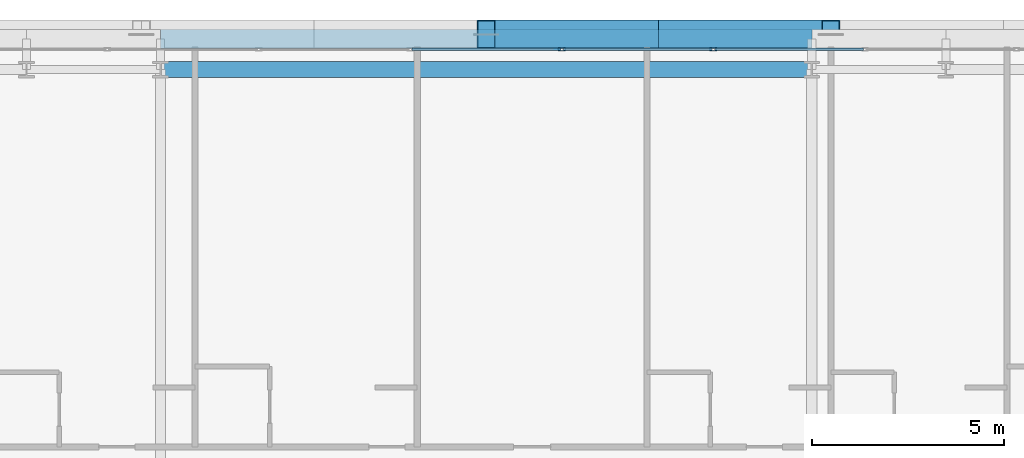
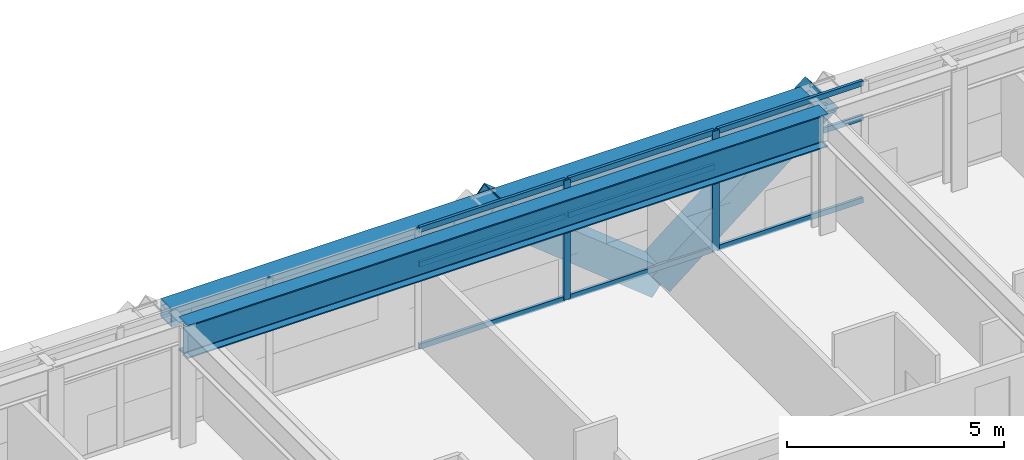
# One storey, part 19 of 35: 13 members, 2 beams, 1 element without a shape of its own.
"""IFC4 building model written with IfcOpenShell, lengths in metres."""

from ifc_helpers import new_model, si_unit, direction, frame, origin, origin_2d, place, context, subcontext, project, spatial, hollow_rectangle, i_section, extrude, source, transform, mapped, material, layer, layer_set, material_profile, profile_set, type_object, element, aggregate, save


model = new_model("IFC4")

# Units and contexts
model_context = context("Model", 3, precision=1e-05, world=origin(), true_north=direction((0.0, 1.0)))
body_context = subcontext(model_context, "Body", "Model", "MODEL_VIEW")
ifc_project = project(units=[si_unit("LENGTHUNIT", "METRE"), si_unit("AREAUNIT", "SQUARE_METRE"), si_unit("VOLUMEUNIT", "CUBIC_METRE"), si_unit("PLANEANGLEUNIT", "RADIAN"), si_unit("MASSUNIT", "GRAM", prefix="KILO")], contexts=[model_context])

# Site, building, storey
site_placement = place(None, origin())
site = spatial("IfcSite", under=ifc_project, at=site_placement, CompositionType="ELEMENT")
building_placement = place(site_placement, origin())
building = spatial("IfcBuilding", under=site, at=building_placement, Name="Ocotamira Hotel", CompositionType="ELEMENT")
storey_placement = place(building_placement, frame((0.0, 0.0, 100.800048828125)))
storey = spatial("IfcBuildingStorey", under=building, at=storey_placement, Name="L24", CompositionType="ELEMENT", Elevation=100.800048828125)

# Beams
ifc_material_1 = material(Name="Steel ASTM A992 Grade 50", Category="steel")
ifc_material_profile_1 = material_profile(ifc_material_1, i_section(OverallWidth=0.41796875, OverallDepth=0.927001953125, WebThickness=0.019287109375, FlangeThickness=0.031982421875, FilletRadius=0.02392578125, at=origin_2d()), Name="W36X231")
ifc_profile_set_1 = profile_set([ifc_material_profile_1], Name="Steel ASTM A992 Grade 50")
beam_type_1 = type_object("IfcBeamType", Name="BM-GIRD-W36X231", PredefinedType="BEAM", material=ifc_profile_set_1)
shared_shape_1 = source(origin(), body_context, "Body", "SweptSolid", [
    extrude(i_section(OverallWidth=0.41796875, OverallDepth=0.927001953125, WebThickness=0.019287109375, FlangeThickness=0.031982421875, FilletRadius=0.02392578125, at=origin_2d()), origin(), (0.0, 0.0, 1.0), 17.0),
])
beam_1_placement = place(storey_placement, frame((23.5, 49.050048828125, 2.896484375), z_axis=(1.0, 0.0, 0.0), x_axis=(0.0, 1.0, 0.0)))
element("IfcBeam", 1, at=beam_1_placement, inside=storey, type_object=beam_type_1, Name="L24 Girder Y49.05 X23.5-40.5", PredefinedType="BEAM", context=body_context, shape_type="MappedRepresentation", body=[
    mapped(shared_shape_1, transform((0.0, 0.0, 0.0), scale=1.0)),
])
ifc_material_2 = material(Name="Steel ASTM A500 Grade C", Category="steel")
ifc_material_profile_2 = material_profile(ifc_material_2, hollow_rectangle(XDim=0.5, YDim=0.5, WallThickness=0.02001953125, at=origin_2d()), Name="HSS500X500X20")
ifc_profile_set_2 = profile_set([ifc_material_profile_2], Name="Steel ASTM A500 Grade C")
beam_type_2 = type_object("IfcBeamType", Name="BM-SPAN-HSS500", PredefinedType="USERDEFINED", material=ifc_profile_set_2)
shared_shape_2 = source(origin(), body_context, "Body", "SweptSolid", [
    extrude(hollow_rectangle(XDim=0.5, YDim=0.5, WallThickness=0.02001953125, at=origin_2d()), origin(), (0.0, 0.0, 1.0), 17.0),
])
beam_2_placement = place(storey_placement, frame((23.5, 49.85009765625, 3.10986328125), z_axis=(1.0, 0.0, 0.0), x_axis=(0.0, 1.0, 0.0)))
element("IfcBeam", 2, at=beam_2_placement, inside=storey, type_object=beam_type_2, Name="L24 Edge Spandrel N X23.5-40.5", ObjectType="SPANDREL", PredefinedType="USERDEFINED", context=body_context, shape_type="MappedRepresentation", body=[
    mapped(shared_shape_2, transform((0.0, 0.0, 0.0), scale=1.0)),
])

# Members
ifc_material_3 = material(Name="Pale-metal coated steel ASTM A913 Grade 65", Category="steel")
ifc_material_profile_3 = material_profile(ifc_material_3, hollow_rectangle(XDim=0.75, YDim=0.75, WallThickness=0.028076171875, at=origin_2d()), Name="BOX750X750X28")
ifc_profile_set_3 = profile_set([ifc_material_profile_3], Name="Pale-metal coated steel ASTM A913 Grade 65")
member_type_1 = type_object("IfcMemberType", Name="MEM-EXO-BOX750", PredefinedType="BRACE", material=ifc_profile_set_3)
shared_shape_3 = source(origin(), body_context, "Body", "SweptSolid", [
    extrude(hollow_rectangle(XDim=0.75, YDim=0.75, WallThickness=0.028076171875, at=origin_2d()), origin(), (0.0, 0.0, 1.0), 5.7626953125),
])
for number, where, z_axis, x_axis, name in (
    (3, (36.5, 49.969970703125, -0.489990234375), (-0.780881208953, 0.0, 0.624679547852), (0.0, -1.0, 0.0), "L24 Exoskeleton Diagrid N2.1"),
    (4, (36.5, 49.969970703125, -0.489990234375), (0.780881208953, 0.0, 0.624679547852), (0.0, 1.0, 0.0), "L24 Exoskeleton Diagrid N2.2"),
):
    element("IfcMember", number, at=place(storey_placement, frame(where, z_axis=z_axis, x_axis=x_axis)), inside=storey, type_object=member_type_1, Name=name, PredefinedType="BRACE", context=body_context, shape_type="MappedRepresentation", body=[
        mapped(shared_shape_3, transform((0.0, 0.0, 0.0), scale=1.0)),
    ])

# Curtain wall, members
ifc_material_4 = material(Name="Anodised pale-metal aluminium and solar glass", Category="aluminium")
ifc_layer = layer(ifc_material_4, 0.179931640625)
ifc_layer_set = layer_set([ifc_layer], Name="Anodised pale-metal aluminium and solar glass")
curtain_wall_type = type_object("IfcCurtainWallType", Name="CW-SYS3-Z2", PredefinedType="NOTDEFINED", material=ifc_layer_set)
curtain_wall_placement = place(storey_placement, origin())
curtain_wall = element("IfcCurtainWall", 5, at=curtain_wall_placement, inside=storey, type_object=curtain_wall_type, Name="L24 Curtain Wall CW-3 CW-L24-N", PredefinedType="NOTDEFINED")
ifc_material_5 = material(Name="Anodised pale-metal aluminium 6063-T6", Category="aluminium")
ifc_material_profile_4 = material_profile(ifc_material_5, hollow_rectangle(XDim=0.074951171875, YDim=0.14990234375, WallThickness=0.006103515625, at=origin_2d()), Name="HSS150X75X6")
ifc_profile_set_4 = profile_set([ifc_material_profile_4], Name="Anodised pale-metal aluminium 6063-T6")
member_type_2 = type_object("IfcMemberType", Name="CWT-150X75", PredefinedType="USERDEFINED", material=ifc_profile_set_4)
shared_shape_4 = source(origin(), body_context, "Body", "SweptSolid", [
    extrude(hollow_rectangle(XDim=0.074951171875, YDim=0.14990234375, WallThickness=0.006103515625, at=origin_2d()), origin(), (0.0, 0.0, 1.0), 3.87548828125),
])
member_1_placement = place(storey_placement, frame((30.062255859375, 49.580078125, 0.037353515625), z_axis=(1.0, 0.0, 0.0), x_axis=(0.0, 1.0, 0.0)))
member_1 = element("IfcMember", 6, at=member_1_placement, type_object=member_type_2, Name="CW-3 transom 5.1", ObjectType="TRANSOM", PredefinedType="USERDEFINED", context=body_context, shape_type="MappedRepresentation", body=[
    mapped(shared_shape_4, transform((0.0, 0.0, 0.0), scale=1.0)),
])
member_2_placement = place(storey_placement, frame((30.062255859375, 49.580078125, 2.349853515625), z_axis=(1.0, 0.0, 0.0), x_axis=(0.0, 1.0, 0.0)))
member_2 = element("IfcMember", 7, at=member_2_placement, type_object=member_type_2, Name="CW-3 transom 5.2", ObjectType="TRANSOM", PredefinedType="USERDEFINED", context=body_context, shape_type="MappedRepresentation", body=[
    mapped(shared_shape_4, transform((0.0, 0.0, 0.0), scale=1.0)),
])
member_3_placement = place(storey_placement, frame((30.062255859375, 49.580078125, 3.322509765625), z_axis=(1.0, 0.0, 0.0), x_axis=(0.0, 1.0, 0.0)))
member_3 = element("IfcMember", 8, at=member_3_placement, type_object=member_type_2, Name="CW-3 transom 5.3", ObjectType="TRANSOM", PredefinedType="USERDEFINED", context=body_context, shape_type="MappedRepresentation", body=[
    mapped(shared_shape_4, transform((0.0, 0.0, 0.0), scale=1.0)),
])
member_4_placement = place(storey_placement, frame((34.017822265625, 49.580078125, 0.037353515625), z_axis=(1.0, 0.0, 0.0), x_axis=(0.0, 1.0, 0.0)))
member_4 = element("IfcMember", 9, at=member_4_placement, type_object=member_type_2, Name="CW-3 transom 6.1", ObjectType="TRANSOM", PredefinedType="USERDEFINED", context=body_context, shape_type="MappedRepresentation", body=[
    mapped(shared_shape_4, transform((0.0, 0.0, 0.0), scale=1.0)),
])
member_5_placement = place(storey_placement, frame((34.017822265625, 49.580078125, 2.349853515625), z_axis=(1.0, 0.0, 0.0), x_axis=(0.0, 1.0, 0.0)))
member_5 = element("IfcMember", 10, at=member_5_placement, type_object=member_type_2, Name="CW-3 transom 6.2", ObjectType="TRANSOM", PredefinedType="USERDEFINED", context=body_context, shape_type="MappedRepresentation", body=[
    mapped(shared_shape_4, transform((0.0, 0.0, 0.0), scale=1.0)),
])
member_6_placement = place(storey_placement, frame((34.017822265625, 49.580078125, 3.322509765625), z_axis=(1.0, 0.0, 0.0), x_axis=(0.0, 1.0, 0.0)))
member_6 = element("IfcMember", 11, at=member_6_placement, type_object=member_type_2, Name="CW-3 transom 6.3", ObjectType="TRANSOM", PredefinedType="USERDEFINED", context=body_context, shape_type="MappedRepresentation", body=[
    mapped(shared_shape_4, transform((0.0, 0.0, 0.0), scale=1.0)),
])
member_7_placement = place(storey_placement, frame((37.973388671875, 49.580078125, 0.037353515625), z_axis=(1.0, 0.0, 0.0), x_axis=(0.0, 1.0, 0.0)))
member_7 = element("IfcMember", 12, at=member_7_placement, type_object=member_type_2, Name="CW-3 transom 7.1", ObjectType="TRANSOM", PredefinedType="USERDEFINED", context=body_context, shape_type="MappedRepresentation", body=[
    mapped(shared_shape_4, transform((0.0, 0.0, 0.0), scale=1.0)),
])
member_8_placement = place(storey_placement, frame((37.973388671875, 49.580078125, 2.349853515625), z_axis=(1.0, 0.0, 0.0), x_axis=(0.0, 1.0, 0.0)))
member_8 = element("IfcMember", 13, at=member_8_placement, type_object=member_type_2, Name="CW-3 transom 7.2", ObjectType="TRANSOM", PredefinedType="USERDEFINED", context=body_context, shape_type="MappedRepresentation", body=[
    mapped(shared_shape_4, transform((0.0, 0.0, 0.0), scale=1.0)),
])
member_9_placement = place(storey_placement, frame((37.973388671875, 49.580078125, 3.322509765625), z_axis=(1.0, 0.0, 0.0), x_axis=(0.0, 1.0, 0.0)))
member_9 = element("IfcMember", 14, at=member_9_placement, type_object=member_type_2, Name="CW-3 transom 7.3", ObjectType="TRANSOM", PredefinedType="USERDEFINED", context=body_context, shape_type="MappedRepresentation", body=[
    mapped(shared_shape_4, transform((0.0, 0.0, 0.0), scale=1.0)),
])
ifc_material_profile_5 = material_profile(ifc_material_5, hollow_rectangle(XDim=0.080078125, YDim=0.179931640625, WallThickness=0.006103515625, at=origin_2d()), Name="HSS180X80X6")
ifc_profile_set_5 = profile_set([ifc_material_profile_5], Name="Anodised pale-metal aluminium 6063-T6")
member_type_3 = type_object("IfcMemberType", Name="CWM-180X75", PredefinedType="MULLION", material=ifc_profile_set_5)
shared_shape_5 = source(origin(), body_context, "Body", "SweptSolid", [
    extrude(hollow_rectangle(XDim=0.080078125, YDim=0.179931640625, WallThickness=0.006103515625, at=origin_2d()), origin(), (0.0, 0.0, 1.0), 3.35986328125),
])
member_10_placement = place(storey_placement, frame((33.977783203125, 49.580078125, 0.0), z_axis=(0.0, 0.0, 1.0), x_axis=(0.0, 1.0, 0.0)))
member_10 = element("IfcMember", 15, at=member_10_placement, type_object=member_type_3, Name="CW-3 mullion 6", PredefinedType="MULLION", context=body_context, shape_type="MappedRepresentation", body=[
    mapped(shared_shape_5, transform((0.0, 0.0, 0.0), scale=1.0)),
])
member_11_placement = place(storey_placement, frame((37.933349609375, 49.580078125, 0.0), z_axis=(0.0, 0.0, 1.0), x_axis=(0.0, 1.0, 0.0)))
member_11 = element("IfcMember", 16, at=member_11_placement, type_object=member_type_3, Name="CW-3 mullion 7", PredefinedType="MULLION", context=body_context, shape_type="MappedRepresentation", body=[
    mapped(shared_shape_5, transform((0.0, 0.0, 0.0), scale=1.0)),
])
aggregate(curtain_wall, [member_10, member_11, member_1, member_2, member_3, member_4, member_5, member_6, member_7, member_8, member_9])

save(model, "model.ifc")
